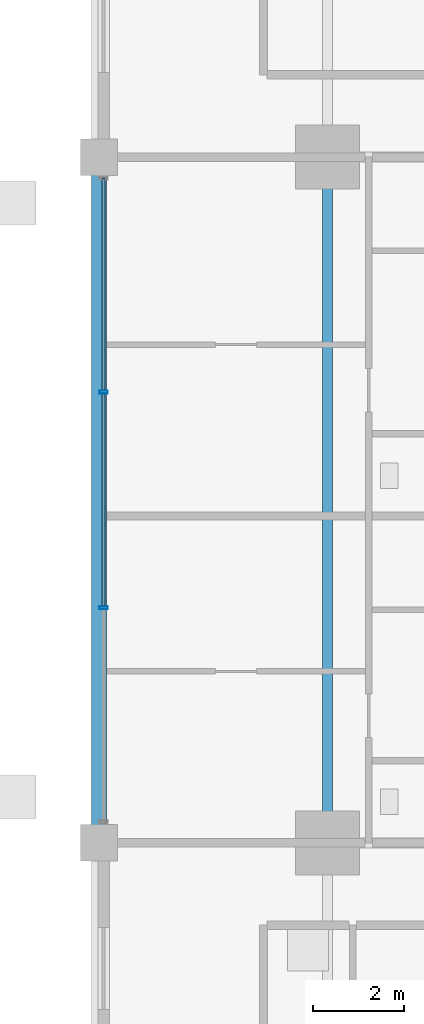
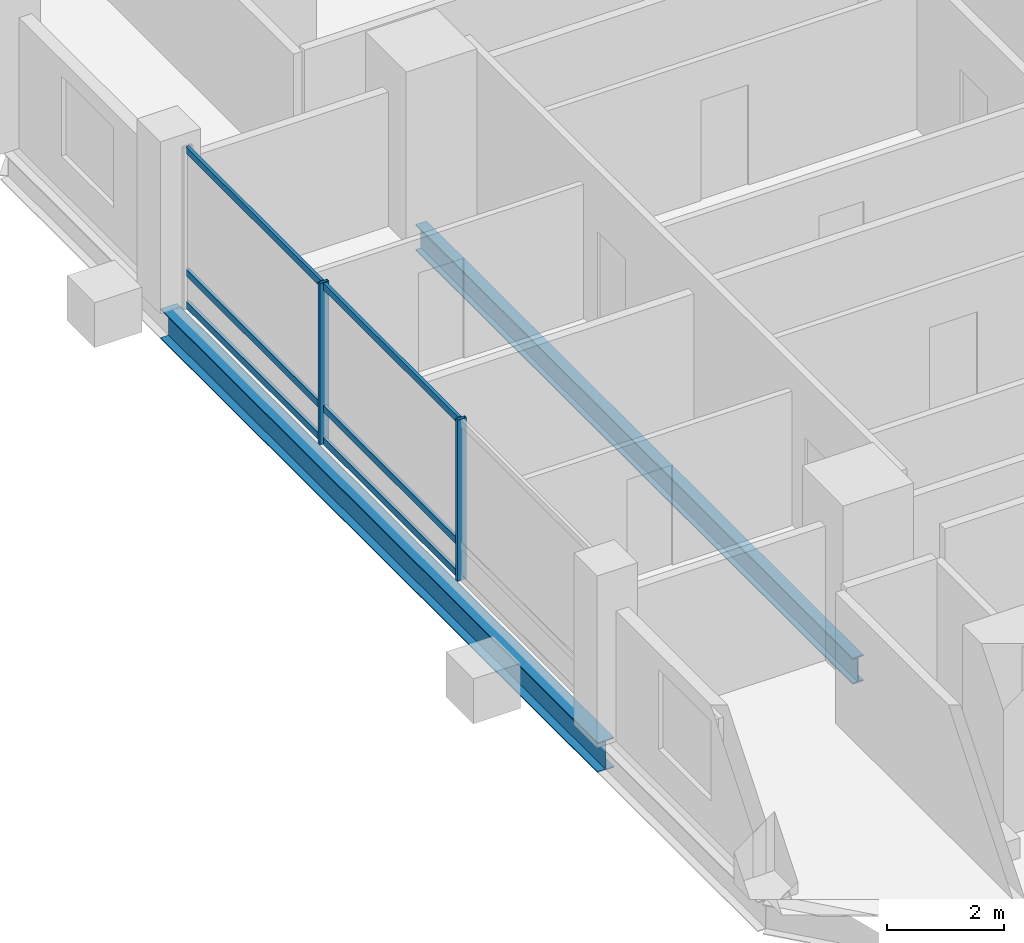
# One storey, part 6 of 24: 8 members, 2 beams, 1 element without a shape of its own.
"""IFC4 building model written with IfcOpenShell, lengths in metres."""

import ifcopenshell
import ifcopenshell.guid

model = None  # the IFC model being written
_history = None  # IfcOwnerHistory: only IFC2X3 demands one
_inside = {}  # id of a spatial element -> (the spatial element, [elements in it])
_under = {}  # id of a project, library or spatial element -> (it, [spatial elements below it])
_declared = {}  # id of a project -> (the project, [libraries it declares])
_typed = {}  # id of a type object -> (the type object, [elements of that type])
_made_of = {}  # id of a material, layer set ... -> (it, [elements and type objects made of it])


def new_model(schema):
    """Start an empty IFC model of exactly this schema.

    Asked for "IFC4X3", IfcOpenShell would pick the latest addendum, in which some entities
    have other attributes; the version numbers below select the first issue.
    IFC2X3 requires an IfcOwnerHistory on every rooted entity: one is made here for all.
    """
    global model, _history
    if schema == "IFC4X3":
        model = ifcopenshell.file(schema_version=(4, 3, 0, 0))
    else:
        model = ifcopenshell.file(schema=schema)
    _inside.clear()
    _under.clear()
    _declared.clear()
    _typed.clear()
    _made_of.clear()
    _history = None
    if model.schema == "IFC2X3":
        org = make("IfcOrganization", Name="unknown")
        user = make(
            "IfcPersonAndOrganization",
            ThePerson=make("IfcPerson", FamilyName="unknown"),
            TheOrganization=org,
        )
        app = make(
            "IfcApplication",
            ApplicationDeveloper=org,
            Version="unknown",
            ApplicationFullName="unknown",
            ApplicationIdentifier="unknown",
        )
        _history = make(
            "IfcOwnerHistory",
            OwningUser=user,
            OwningApplication=app,
            ChangeAction="ADDED",
            CreationDate=0,
        )
    return model


def make(cls, **values):
    """One entity of the class cls with the attributes given. An attribute that is None is left unset."""
    return model.create_entity(
        cls, **{name: value for name, value in values.items() if value is not None}
    )


def rooted(cls, **values):
    """An entity with a GlobalId (a new one), such as an element, a storey or a relation."""
    return make(cls, GlobalId=ifcopenshell.guid.new(), OwnerHistory=_history, **values)


def si_unit(unit_type, name, prefix=None):
    """IfcSIUnit, for example si_unit("LENGTHUNIT", "METRE", prefix="MILLI")."""
    return make("IfcSIUnit", UnitType=unit_type, Prefix=prefix, Name=name)


def assignment(units):
    """IfcUnitAssignment: the units of a project."""
    return None if units is None else make("IfcUnitAssignment", Units=units)


def point(xyz):
    """IfcCartesianPoint."""
    return None if xyz is None else make("IfcCartesianPoint", Coordinates=xyz)


def direction(xyz):
    """IfcDirection."""
    return None if xyz is None else make("IfcDirection", DirectionRatios=xyz)


def frame(location, z_axis=None, x_axis=None):
    """IfcAxis2Placement3D, a coordinate frame: its origin and axes. An axis left out is left unset."""
    return make(
        "IfcAxis2Placement3D",
        Location=point(location),
        Axis=direction(z_axis),
        RefDirection=direction(x_axis),
    )


def frame_2d(location, x_axis=None):
    """IfcAxis2Placement2D, a coordinate frame in the plane: its origin and x axis."""
    return make(
        "IfcAxis2Placement2D", Location=point(location), RefDirection=direction(x_axis)
    )


def origin():
    """The frame at (0, 0, 0) with its axes left unset."""
    return frame((0.0, 0.0, 0.0))


def origin_2d():
    """The frame at (0, 0) in the plane with its x axis left unset."""
    return frame_2d((0.0, 0.0))


def place(relative_to, where):
    """IfcLocalPlacement: puts the frame where relative to a parent placement (None: the world)."""
    return make(
        "IfcLocalPlacement", PlacementRelTo=relative_to, RelativePlacement=where
    )


def context(
    kind, dimensions, precision=None, world=None, true_north=None, identifier=None
):
    """IfcGeometricRepresentationContext, for example the 3D "Model" context."""
    return make(
        "IfcGeometricRepresentationContext",
        ContextIdentifier=identifier,
        ContextType=kind,
        CoordinateSpaceDimension=dimensions,
        Precision=precision,
        WorldCoordinateSystem=world,
        TrueNorth=true_north,
    )


def subcontext(parent, identifier, kind, view, scale=None):
    """IfcGeometricRepresentationSubContext, for example "Body" below "Model"."""
    return make(
        "IfcGeometricRepresentationSubContext",
        ContextIdentifier=identifier,
        ContextType=kind,
        ParentContext=parent,
        TargetScale=scale,
        TargetView=view,
    )


def project(units=None, contexts=None):
    """IfcProject with its units and contexts."""
    return rooted(
        "IfcProject",
        Name="project",
        RepresentationContexts=contexts,
        UnitsInContext=assignment(units),
    )


def spatial(cls, under=None, at=None, **own):
    """A site, building, storey or space (cls), placed at a placement, below another one or the project."""
    s = rooted(cls, ObjectPlacement=at, **own)
    if under is not None:
        _under.setdefault(under.id(), (under, []))[1].append(s)
    return s


def profile(cls, at=None, kind="AREA", **sizes):
    """A parametric profile (cls). Its sizes go by their IFC names, for example OverallWidth=200.0."""
    return make(cls, ProfileType=kind, Position=at, **sizes)


def hollow_rectangle(**sizes):
    """IfcRectangleHollowProfileDef."""
    return profile("IfcRectangleHollowProfileDef", **sizes)


def i_section(**sizes):
    """IfcIShapeProfileDef."""
    return profile("IfcIShapeProfileDef", **sizes)


def extrude(swept, where, along, depth):
    """IfcExtrudedAreaSolid: the profile swept, set in the frame where, extruded along a direction by depth."""
    return make(
        "IfcExtrudedAreaSolid",
        SweptArea=swept,
        Position=where,
        ExtrudedDirection=direction(along),
        Depth=depth,
    )


def shape(context_of_items, identifier, shape_type, items):
    """IfcShapeRepresentation: the items that make up one representation, for example the "Body"."""
    return make(
        "IfcShapeRepresentation",
        ContextOfItems=context_of_items,
        RepresentationIdentifier=identifier,
        RepresentationType=shape_type,
        Items=items,
    )


def material(Name=None, Category=None):
    """IfcMaterial."""
    return make("IfcMaterial", Name=Name, Category=Category)


def layer(
    of_material, thickness, ventilated=None, Name=None, Category=None, Priority=None
):
    """IfcMaterialLayer: one layer of a wall or slab, of a material (None: an air gap)."""
    return make(
        "IfcMaterialLayer",
        Material=of_material,
        LayerThickness=thickness,
        IsVentilated=ventilated,
        Name=Name,
        Category=Category,
        Priority=Priority,
    )


def layer_set(layers, Name=None):
    """IfcMaterialLayerSet."""
    return make("IfcMaterialLayerSet", MaterialLayers=layers, LayerSetName=Name)


def material_profile(
    of_material, cross_section, Name=None, Category=None, Priority=None
):
    """IfcMaterialProfile: a cross section and its material."""
    return make(
        "IfcMaterialProfile",
        Name=Name,
        Material=of_material,
        Profile=cross_section,
        Priority=Priority,
        Category=Category,
    )


def profile_set(profiles, Name=None, composite=None):
    """IfcMaterialProfileSet."""
    return make(
        "IfcMaterialProfileSet",
        Name=Name,
        MaterialProfiles=profiles,
        CompositeProfile=composite,
    )


def made_of(thing, what):
    """Note that an element or type object is made of a material, layer set ...; save() writes the relation."""
    if what is not None:
        _made_of.setdefault(what.id(), (what, []))[1].append(thing)
    return thing


def type_object(cls, material=None, **own):
    """A type object (cls), such as IfcWallType, which elements share."""
    return made_of(rooted(cls, **own), material)


def element(
    cls,
    number,
    at=None,
    inside=None,
    cuts=None,
    type_object=None,
    material=None,
    context=None,
    identifier="Body",
    shape_type=None,
    held_by="IfcProductDefinitionShape",
    body=None,
    shapes=None,
    **own,
):
    """One element of the class cls, such as IfcWall. Its Tag is "e" and its number.

    at: its placement. inside: the storey or other place that contains it. cuts: it is an
    opening in that element (IfcRelVoidsElement). A single representation is given by context,
    identifier, shape_type and body (its items); several are given by shapes. held_by: the class
    of the entity that holds the representations. save() writes the other relations.
    """
    e = rooted(cls, Tag="e%d" % number, ObjectPlacement=at, **own)
    if body is not None:
        shapes = [shape(context, identifier, shape_type, body)]
    if shapes is not None:
        e.Representation = make(held_by, Representations=shapes)
    if inside is not None:
        _inside.setdefault(inside.id(), (inside, []))[1].append(e)
    if cuts is not None:
        rooted(
            "IfcRelVoidsElement", RelatingBuildingElement=cuts, RelatedOpeningElement=e
        )
    if type_object is not None:
        _typed.setdefault(type_object.id(), (type_object, []))[1].append(e)
    return made_of(e, material)


def aggregate(whole, parts):
    """IfcRelAggregates: a whole, such as a stair, and the parts it consists of."""
    return rooted("IfcRelAggregates", RelatingObject=whole, RelatedObjects=parts)


def save(model, path):
    """Write the relations noted so far, then the file.

    IfcRelAggregates (storeys below a building ...), IfcRelContainedInSpatialStructure (elements
    in a storey), IfcRelDefinesByType, IfcRelAssociatesMaterial and IfcRelDeclares: one each for
    every whole, place, type object, material and project.
    """
    for whole, parts in _under.values():
        aggregate(whole, parts)
    for where, things in _inside.values():
        rooted(
            "IfcRelContainedInSpatialStructure",
            RelatedElements=things,
            RelatingStructure=where,
        )
    for kind, things in _typed.values():
        rooted("IfcRelDefinesByType", RelatedObjects=things, RelatingType=kind)
    for what, things in _made_of.values():
        rooted("IfcRelAssociatesMaterial", RelatedObjects=things, RelatingMaterial=what)
    for by, libraries in _declared.values():
        rooted("IfcRelDeclares", RelatingContext=by, RelatedDefinitions=libraries)
    model.write(path)


model = new_model("IFC4")

# Units and contexts
model_context = context("Model", 3, precision=1e-05, world=origin(), true_north=direction((0.0, 1.0)))
body_context = subcontext(model_context, "Body", "Model", "MODEL_VIEW")
ifc_project = project(units=[si_unit("LENGTHUNIT", "METRE"), si_unit("AREAUNIT", "SQUARE_METRE"), si_unit("VOLUMEUNIT", "CUBIC_METRE"), si_unit("PLANEANGLEUNIT", "RADIAN"), si_unit("MASSUNIT", "GRAM", prefix="KILO")], contexts=[model_context])

# Site, building, storey
site_placement = place(None, origin())
site = spatial("IfcSite", under=ifc_project, at=site_placement, CompositionType="ELEMENT")
building_placement = place(site_placement, origin())
building = spatial("IfcBuilding", under=site, at=building_placement, Name="Barlavira Tower and Art Museum", CompositionType="ELEMENT")
storey_placement = place(building_placement, frame((0.0, 0.0, 32.39990234375)))
storey = spatial("IfcBuildingStorey", under=building, at=storey_placement, Name="L06", CompositionType="ELEMENT", Elevation=32.39990234375)

# Curtain wall, members
ifc_material_1 = material(Name="Low-iron coastal laminated glass", Category="glass")
ifc_layer = layer(ifc_material_1, 0.179931640625, Name="Low-iron coastal laminated glass")
ifc_layer_set = layer_set([ifc_layer], Name="Low-iron coastal laminated glass")
curtain_wall_type = type_object("IfcCurtainWallType", Name="Pale-Metal Unitised Curtain Wall Zone 1", PredefinedType="NOTDEFINED", material=ifc_layer_set)
curtain_wall_placement = place(storey_placement, origin())
curtain_wall = element("IfcCurtainWall", 1, at=curtain_wall_placement, inside=storey, type_object=curtain_wall_type, Name="L06 Curtain Wall CW1-L06-W-B3", PredefinedType="NOTDEFINED")
ifc_material_2 = material(Name="Pale anodised aluminium", Category="aluminium")
ifc_material_profile_1 = material_profile(ifc_material_2, hollow_rectangle(XDim=0.06494140625, YDim=0.179931640625, WallThickness=0.00390625, at=origin_2d()), Name="ALU-MULL 65x180x4")
ifc_profile_set_1 = profile_set([ifc_material_profile_1], Name="Pale anodised aluminium")
member_type_1 = type_object("IfcMemberType", Name="Curtain Wall Pale-Metal Mullion 65x180", PredefinedType="MULLION", material=ifc_profile_set_1)
member_1_placement = place(storey_placement, frame((-21.89990234375, 2.360107421875, 0.0), z_axis=(0.0, 0.0, 1.0), x_axis=(0.0, -1.0, 0.0)))
member_1 = element("IfcMember", 2, at=member_1_placement, type_object=member_type_1, Name="CW1-L06-W-B3 Mullion 1", PredefinedType="MULLION", context=body_context, shape_type="SweptSolid", body=[
    extrude(hollow_rectangle(XDim=0.06494140625, YDim=0.179931640625, WallThickness=0.00390625, at=origin_2d()), origin(), (0.0, 0.0, 1.0), 3.380126953125),
])
member_2_placement = place(storey_placement, frame((-21.89990234375, -2.360107421875, 0.0), z_axis=(0.0, 0.0, 1.0), x_axis=(0.0, -1.0, 0.0)))
member_2 = element("IfcMember", 3, at=member_2_placement, type_object=member_type_1, Name="CW1-L06-W-B3 Mullion 2", PredefinedType="MULLION", context=body_context, shape_type="SweptSolid", body=[
    extrude(hollow_rectangle(XDim=0.06494140625, YDim=0.179931640625, WallThickness=0.00390625, at=origin_2d()), origin(), (0.0, 0.0, 1.0), 3.380126953125),
])
ifc_material_profile_2 = material_profile(ifc_material_2, hollow_rectangle(XDim=0.06494140625, YDim=0.139892578125, WallThickness=0.00390625, at=origin_2d()), Name="ALU-TRAN 65x140x4")
ifc_profile_set_2 = profile_set([ifc_material_profile_2], Name="Pale anodised aluminium")
member_type_2 = type_object("IfcMemberType", Name="Curtain Wall Pale-Metal Transom 65x140", PredefinedType="USERDEFINED", material=ifc_profile_set_2)
member_3_placement = place(storey_placement, frame((-21.89990234375, 7.034912109375, 0.070068359375), z_axis=(0.0, -1.0, 0.0), x_axis=(1.0, 0.0, 0.0)))
member_3 = element("IfcMember", 4, at=member_3_placement, type_object=member_type_2, Name="CW1-L06-W-B3 Transom 0.1", ObjectType="TRANSOM", PredefinedType="USERDEFINED", context=body_context, shape_type="SweptSolid", body=[
    extrude(hollow_rectangle(XDim=0.06494140625, YDim=0.139892578125, WallThickness=0.00390625, at=origin_2d()), origin(), (0.0, 0.0, 1.0), 4.6298828125),
])
member_4_placement = place(storey_placement, frame((-21.89990234375, 7.034912109375, 0.744140625), z_axis=(0.0, -1.0, 0.0), x_axis=(1.0, 0.0, 0.0)))
member_4 = element("IfcMember", 5, at=member_4_placement, type_object=member_type_2, Name="CW1-L06-W-B3 Transom 0.2", ObjectType="TRANSOM", PredefinedType="USERDEFINED", context=body_context, shape_type="SweptSolid", body=[
    extrude(hollow_rectangle(XDim=0.06494140625, YDim=0.139892578125, WallThickness=0.00390625, at=origin_2d()), origin(), (0.0, 0.0, 1.0), 4.6298828125),
])
member_5_placement = place(storey_placement, frame((-21.89990234375, 7.034912109375, 3.31005859375), z_axis=(0.0, -1.0, 0.0), x_axis=(1.0, 0.0, 0.0)))
member_5 = element("IfcMember", 6, at=member_5_placement, type_object=member_type_2, Name="CW1-L06-W-B3 Transom 0.3", ObjectType="TRANSOM", PredefinedType="USERDEFINED", context=body_context, shape_type="SweptSolid", body=[
    extrude(hollow_rectangle(XDim=0.06494140625, YDim=0.139892578125, WallThickness=0.00390625, at=origin_2d()), origin(), (0.0, 0.0, 1.0), 4.6298828125),
])
member_6_placement = place(storey_placement, frame((-21.89990234375, 2.31494140625, 0.070068359375), z_axis=(0.0, -1.0, 0.0), x_axis=(1.0, 0.0, 0.0)))
member_6 = element("IfcMember", 7, at=member_6_placement, type_object=member_type_2, Name="CW1-L06-W-B3 Transom 1.1", ObjectType="TRANSOM", PredefinedType="USERDEFINED", context=body_context, shape_type="SweptSolid", body=[
    extrude(hollow_rectangle(XDim=0.06494140625, YDim=0.139892578125, WallThickness=0.00390625, at=origin_2d()), origin(), (0.0, 0.0, 1.0), 4.6298828125),
])
member_7_placement = place(storey_placement, frame((-21.89990234375, 2.31494140625, 0.744140625), z_axis=(0.0, -1.0, 0.0), x_axis=(1.0, 0.0, 0.0)))
member_7 = element("IfcMember", 8, at=member_7_placement, type_object=member_type_2, Name="CW1-L06-W-B3 Transom 1.2", ObjectType="TRANSOM", PredefinedType="USERDEFINED", context=body_context, shape_type="SweptSolid", body=[
    extrude(hollow_rectangle(XDim=0.06494140625, YDim=0.139892578125, WallThickness=0.00390625, at=origin_2d()), origin(), (0.0, 0.0, 1.0), 4.6298828125),
])
member_8_placement = place(storey_placement, frame((-21.89990234375, 2.31494140625, 3.31005859375), z_axis=(0.0, -1.0, 0.0), x_axis=(1.0, 0.0, 0.0)))
member_8 = element("IfcMember", 9, at=member_8_placement, type_object=member_type_2, Name="CW1-L06-W-B3 Transom 1.3", ObjectType="TRANSOM", PredefinedType="USERDEFINED", context=body_context, shape_type="SweptSolid", body=[
    extrude(hollow_rectangle(XDim=0.06494140625, YDim=0.139892578125, WallThickness=0.00390625, at=origin_2d()), origin(), (0.0, 0.0, 1.0), 4.6298828125),
])
aggregate(curtain_wall, [member_1, member_2, member_3, member_4, member_5, member_6, member_7, member_8])

# Beams
ifc_material_3 = material(Name="Steel S355", Category="steel")
ifc_material_profile_3 = material_profile(ifc_material_3, i_section(OverallWidth=0.327880859375, OverallDepth=0.62890625, WebThickness=0.013916015625, FlangeThickness=0.021484375, at=origin_2d()), Name="W610x174.0")
ifc_profile_set_3 = profile_set([ifc_material_profile_3], Name="Steel S355")
beam_type_1 = type_object("IfcBeamType", Name="Perimeter Spandrel Edge Beam W610x174 Steel S355", PredefinedType="SPANDREL", material=ifc_profile_set_3)
beam_1_placement = place(storey_placement, frame((-22.0, -7.5, -0.534423828125), z_axis=(0.0, 1.0, 0.0), x_axis=(-1.0, 0.0, 0.0)))
element("IfcBeam", 10, at=beam_1_placement, inside=storey, type_object=beam_type_1, Name="L06 Spandrel 14", PredefinedType="SPANDREL", context=body_context, shape_type="SweptSolid", body=[
    extrude(i_section(OverallWidth=0.327880859375, OverallDepth=0.62890625, WebThickness=0.013916015625, FlangeThickness=0.021484375, at=origin_2d()), origin(), (0.0, 0.0, 1.0), 15.0),
])
ifc_material_profile_4 = material_profile(ifc_material_3, i_section(OverallWidth=0.214111328125, OverallDepth=0.549072265625, WebThickness=0.0146484375, FlangeThickness=0.023681640625, at=origin_2d()), Name="W530x138.0")
ifc_profile_set_4 = profile_set([ifc_material_profile_4], Name="Steel S355")
beam_type_2 = type_object("IfcBeamType", Name="Zone 1 Primary Floor Girder W530x138 Steel S355", PredefinedType="BEAM", material=ifc_profile_set_4)
beam_2_placement = place(storey_placement, frame((-17.0, -7.5, -0.494384765625), z_axis=(0.0, 1.0, 0.0), x_axis=(-1.0, 0.0, 0.0)))
element("IfcBeam", 11, at=beam_2_placement, inside=storey, type_object=beam_type_2, Name="L06 Girder M-W2", PredefinedType="BEAM", context=body_context, shape_type="SweptSolid", body=[
    extrude(i_section(OverallWidth=0.214111328125, OverallDepth=0.549072265625, WebThickness=0.0146484375, FlangeThickness=0.023681640625, at=origin_2d()), origin(), (0.0, 0.0, 1.0), 15.0),
])

save(model, "model.ifc")
